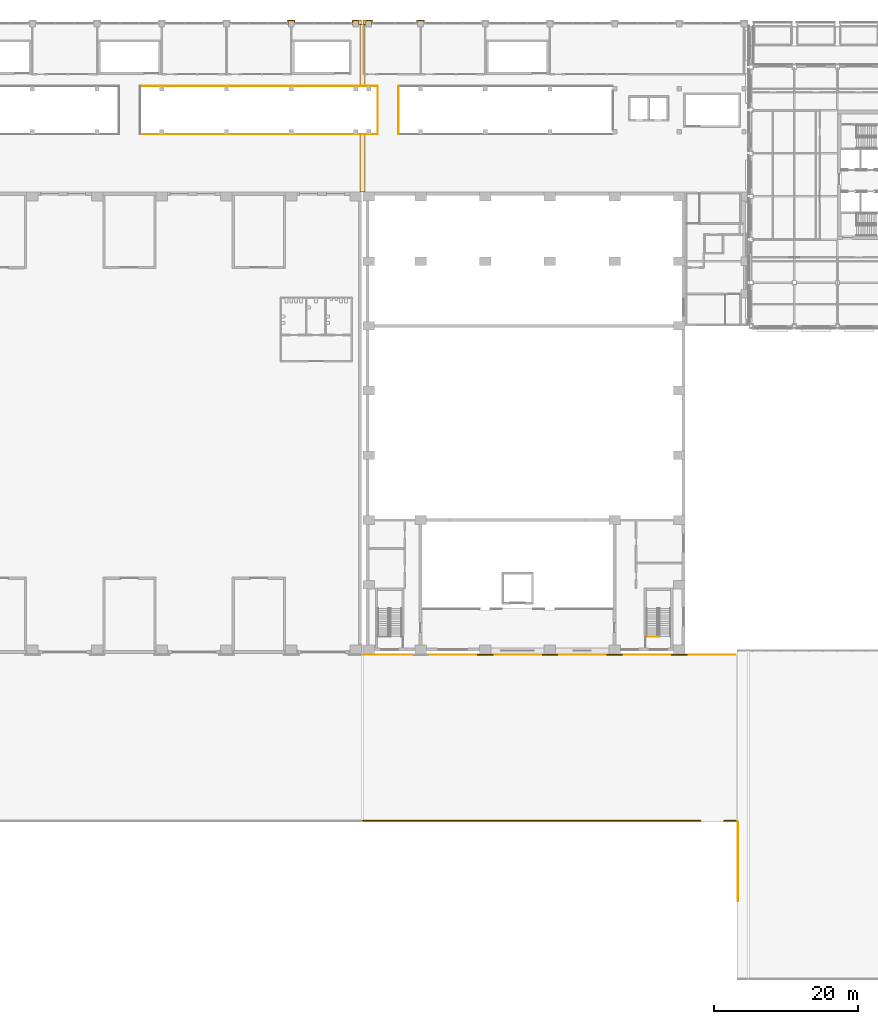
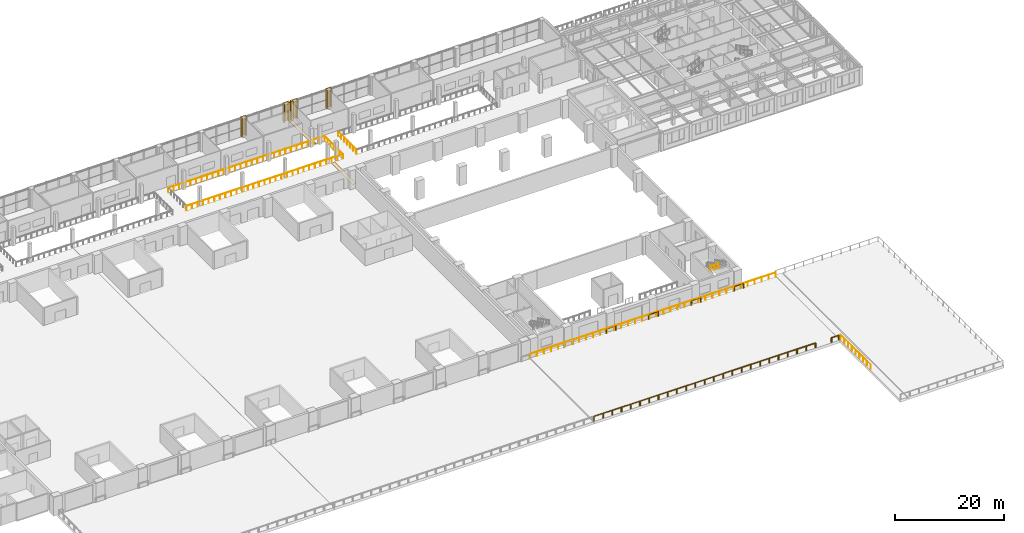
# One storey, part 32 of 39: 13 railings, 6 coverings.
"""IFC4 building model written with IfcOpenShell, lengths in metres."""

from ifc_helpers import new_model, si_unit, direction, frame, origin, origin_2d, place, context, subcontext, project, spatial, polyline, circle, outline, extrude, material, layer, layer_set, type_object, element, save


model = new_model("IFC4")

# Units and contexts
model_context = context("Model", 3, precision=1e-05, world=origin(), true_north=direction((0.0, 1.0)))
body_context = subcontext(model_context, "Body", "Model", "MODEL_VIEW")
ifc_project = project(units=[si_unit("LENGTHUNIT", "METRE"), si_unit("AREAUNIT", "SQUARE_METRE"), si_unit("VOLUMEUNIT", "CUBIC_METRE"), si_unit("PLANEANGLEUNIT", "RADIAN"), si_unit("MASSUNIT", "GRAM", prefix="KILO")], contexts=[model_context])

# Site, building, storey
site_placement = place(None, origin())
site = spatial("IfcSite", under=ifc_project, at=site_placement, CompositionType="ELEMENT")
building_placement = place(site_placement, origin())
building = spatial("IfcBuilding", under=site, at=building_placement, Name="Aravalli Gate Trade Fair Centre", CompositionType="ELEMENT")
storey_placement = place(building_placement, frame((0.0, 0.0, 15.0)))
storey = spatial("IfcBuildingStorey", under=building, at=storey_placement, Name="L03", CompositionType="ELEMENT", Elevation=15.0)

# Railings
ifc_material_1 = material(Name="Steel E350", Category="steel")
railing_type_1 = type_object("IfcRailingType", Name="Concourse guard 1100", PredefinedType="GUARDRAIL", material=ifc_material_1)
railing_1_placement = place(storey_placement, frame((74.949951171875, 117.64990234375, 0.0)))
element("IfcRailing", 1, at=railing_1_placement, inside=storey, type_object=railing_type_1, Name="Atrium guard S3 L03", PredefinedType="GUARDRAIL", context=body_context, shape_type="SweptSolid", body=[
    extrude(circle(Radius=0.02392578125, at=origin_2d()), frame((0.0, 0.0, 1.076171875), z_axis=(1.0, 0.0, 0.0), x_axis=(0.0, 1.0, 0.0)), (0.0, 0.0, 1.0), 33.10009765625),
    extrude(circle(Radius=0.02099609375, at=origin_2d()), origin(), (0.0, 0.0, 1.0), 1.052001953125),
    extrude(circle(Radius=0.02099609375, at=origin_2d()), frame((1.18212890625, 0.0, 0.0)), (0.0, 0.0, 1.0), 1.052001953125),
    extrude(circle(Radius=0.02099609375, at=origin_2d()), frame((2.3642578125, 0.0, 0.0)), (0.0, 0.0, 1.0), 1.052001953125),
    extrude(circle(Radius=0.02099609375, at=origin_2d()), frame((3.54638671875, 0.0, 0.0)), (0.0, 0.0, 1.0), 1.052001953125),
    extrude(circle(Radius=0.02099609375, at=origin_2d()), frame((4.728515625, 0.0, 0.0)), (0.0, 0.0, 1.0), 1.052001953125),
    extrude(circle(Radius=0.02099609375, at=origin_2d()), frame((5.91064453125, 0.0, 0.0)), (0.0, 0.0, 1.0), 1.052001953125),
    extrude(circle(Radius=0.02099609375, at=origin_2d()), frame((7.0927734375, 0.0, 0.0)), (0.0, 0.0, 1.0), 1.052001953125),
    extrude(circle(Radius=0.02099609375, at=origin_2d()), frame((8.27490234375, 0.0, 0.0)), (0.0, 0.0, 1.0), 1.052001953125),
    extrude(circle(Radius=0.02099609375, at=origin_2d()), frame((9.457275390625, 0.0, 0.0)), (0.0, 0.0, 1.0), 1.052001953125),
    extrude(circle(Radius=0.02099609375, at=origin_2d()), frame((10.639404296875, 0.0, 0.0)), (0.0, 0.0, 1.0), 1.052001953125),
    extrude(circle(Radius=0.02099609375, at=origin_2d()), frame((11.821533203125, 0.0, 0.0)), (0.0, 0.0, 1.0), 1.052001953125),
    extrude(circle(Radius=0.02099609375, at=origin_2d()), frame((13.003662109375, 0.0, 0.0)), (0.0, 0.0, 1.0), 1.052001953125),
    extrude(circle(Radius=0.02099609375, at=origin_2d()), frame((14.185791015625, 0.0, 0.0)), (0.0, 0.0, 1.0), 1.052001953125),
    extrude(circle(Radius=0.02099609375, at=origin_2d()), frame((15.367919921875, 0.0, 0.0)), (0.0, 0.0, 1.0), 1.052001953125),
    extrude(circle(Radius=0.02099609375, at=origin_2d()), frame((16.550048828125, 0.0, 0.0)), (0.0, 0.0, 1.0), 1.052001953125),
    extrude(circle(Radius=0.02099609375, at=origin_2d()), frame((17.732177734375, 0.0, 0.0)), (0.0, 0.0, 1.0), 1.052001953125),
    extrude(circle(Radius=0.02099609375, at=origin_2d()), frame((18.914306640625, 0.0, 0.0)), (0.0, 0.0, 1.0), 1.052001953125),
    extrude(circle(Radius=0.02099609375, at=origin_2d()), frame((20.096435546875, 0.0, 0.0)), (0.0, 0.0, 1.0), 1.052001953125),
    extrude(circle(Radius=0.02099609375, at=origin_2d()), frame((21.278564453125, 0.0, 0.0)), (0.0, 0.0, 1.0), 1.052001953125),
    extrude(circle(Radius=0.02099609375, at=origin_2d()), frame((22.460693359375, 0.0, 0.0)), (0.0, 0.0, 1.0), 1.052001953125),
    extrude(circle(Radius=0.02099609375, at=origin_2d()), frame((23.642822265625, 0.0, 0.0)), (0.0, 0.0, 1.0), 1.052001953125),
    extrude(circle(Radius=0.02099609375, at=origin_2d()), frame((24.8251953125, 0.0, 0.0)), (0.0, 0.0, 1.0), 1.052001953125),
    extrude(circle(Radius=0.02099609375, at=origin_2d()), frame((26.00732421875, 0.0, 0.0)), (0.0, 0.0, 1.0), 1.052001953125),
    extrude(circle(Radius=0.02099609375, at=origin_2d()), frame((27.189453125, 0.0, 0.0)), (0.0, 0.0, 1.0), 1.052001953125),
    extrude(circle(Radius=0.02099609375, at=origin_2d()), frame((28.37158203125, 0.0, 0.0)), (0.0, 0.0, 1.0), 1.052001953125),
    extrude(circle(Radius=0.02099609375, at=origin_2d()), frame((29.5537109375, 0.0, 0.0)), (0.0, 0.0, 1.0), 1.052001953125),
    extrude(circle(Radius=0.02099609375, at=origin_2d()), frame((30.73583984375, 0.0, 0.0)), (0.0, 0.0, 1.0), 1.052001953125),
    extrude(circle(Radius=0.02099609375, at=origin_2d()), frame((31.91796875, 0.0, 0.0)), (0.0, 0.0, 1.0), 1.052001953125),
    extrude(circle(Radius=0.02099609375, at=origin_2d()), frame((33.10009765625, 0.0, 0.0)), (0.0, 0.0, 1.0), 1.052001953125),
])
railing_2_placement = place(storey_placement, frame((74.949951171875, 124.35009765625, 0.0)))
element("IfcRailing", 2, at=railing_2_placement, inside=storey, type_object=railing_type_1, Name="Atrium guard N3 L03", PredefinedType="GUARDRAIL", context=body_context, shape_type="SweptSolid", body=[
    extrude(circle(Radius=0.02392578125, at=origin_2d()), frame((0.0, 0.0, 1.076171875), z_axis=(1.0, 0.0, 0.0), x_axis=(0.0, 1.0, 0.0)), (0.0, 0.0, 1.0), 33.10009765625),
    extrude(circle(Radius=0.02099609375, at=origin_2d()), origin(), (0.0, 0.0, 1.0), 1.052001953125),
    extrude(circle(Radius=0.02099609375, at=origin_2d()), frame((1.18212890625, 0.0, 0.0)), (0.0, 0.0, 1.0), 1.052001953125),
    extrude(circle(Radius=0.02099609375, at=origin_2d()), frame((2.3642578125, 0.0, 0.0)), (0.0, 0.0, 1.0), 1.052001953125),
    extrude(circle(Radius=0.02099609375, at=origin_2d()), frame((3.54638671875, 0.0, 0.0)), (0.0, 0.0, 1.0), 1.052001953125),
    extrude(circle(Radius=0.02099609375, at=origin_2d()), frame((4.728515625, 0.0, 0.0)), (0.0, 0.0, 1.0), 1.052001953125),
    extrude(circle(Radius=0.02099609375, at=origin_2d()), frame((5.91064453125, 0.0, 0.0)), (0.0, 0.0, 1.0), 1.052001953125),
    extrude(circle(Radius=0.02099609375, at=origin_2d()), frame((7.0927734375, 0.0, 0.0)), (0.0, 0.0, 1.0), 1.052001953125),
    extrude(circle(Radius=0.02099609375, at=origin_2d()), frame((8.27490234375, 0.0, 0.0)), (0.0, 0.0, 1.0), 1.052001953125),
    extrude(circle(Radius=0.02099609375, at=origin_2d()), frame((9.457275390625, 0.0, 0.0)), (0.0, 0.0, 1.0), 1.052001953125),
    extrude(circle(Radius=0.02099609375, at=origin_2d()), frame((10.639404296875, 0.0, 0.0)), (0.0, 0.0, 1.0), 1.052001953125),
    extrude(circle(Radius=0.02099609375, at=origin_2d()), frame((11.821533203125, 0.0, 0.0)), (0.0, 0.0, 1.0), 1.052001953125),
    extrude(circle(Radius=0.02099609375, at=origin_2d()), frame((13.003662109375, 0.0, 0.0)), (0.0, 0.0, 1.0), 1.052001953125),
    extrude(circle(Radius=0.02099609375, at=origin_2d()), frame((14.185791015625, 0.0, 0.0)), (0.0, 0.0, 1.0), 1.052001953125),
    extrude(circle(Radius=0.02099609375, at=origin_2d()), frame((15.367919921875, 0.0, 0.0)), (0.0, 0.0, 1.0), 1.052001953125),
    extrude(circle(Radius=0.02099609375, at=origin_2d()), frame((16.550048828125, 0.0, 0.0)), (0.0, 0.0, 1.0), 1.052001953125),
    extrude(circle(Radius=0.02099609375, at=origin_2d()), frame((17.732177734375, 0.0, 0.0)), (0.0, 0.0, 1.0), 1.052001953125),
    extrude(circle(Radius=0.02099609375, at=origin_2d()), frame((18.914306640625, 0.0, 0.0)), (0.0, 0.0, 1.0), 1.052001953125),
    extrude(circle(Radius=0.02099609375, at=origin_2d()), frame((20.096435546875, 0.0, 0.0)), (0.0, 0.0, 1.0), 1.052001953125),
    extrude(circle(Radius=0.02099609375, at=origin_2d()), frame((21.278564453125, 0.0, 0.0)), (0.0, 0.0, 1.0), 1.052001953125),
    extrude(circle(Radius=0.02099609375, at=origin_2d()), frame((22.460693359375, 0.0, 0.0)), (0.0, 0.0, 1.0), 1.052001953125),
    extrude(circle(Radius=0.02099609375, at=origin_2d()), frame((23.642822265625, 0.0, 0.0)), (0.0, 0.0, 1.0), 1.052001953125),
    extrude(circle(Radius=0.02099609375, at=origin_2d()), frame((24.8251953125, 0.0, 0.0)), (0.0, 0.0, 1.0), 1.052001953125),
    extrude(circle(Radius=0.02099609375, at=origin_2d()), frame((26.00732421875, 0.0, 0.0)), (0.0, 0.0, 1.0), 1.052001953125),
    extrude(circle(Radius=0.02099609375, at=origin_2d()), frame((27.189453125, 0.0, 0.0)), (0.0, 0.0, 1.0), 1.052001953125),
    extrude(circle(Radius=0.02099609375, at=origin_2d()), frame((28.37158203125, 0.0, 0.0)), (0.0, 0.0, 1.0), 1.052001953125),
    extrude(circle(Radius=0.02099609375, at=origin_2d()), frame((29.5537109375, 0.0, 0.0)), (0.0, 0.0, 1.0), 1.052001953125),
    extrude(circle(Radius=0.02099609375, at=origin_2d()), frame((30.73583984375, 0.0, 0.0)), (0.0, 0.0, 1.0), 1.052001953125),
    extrude(circle(Radius=0.02099609375, at=origin_2d()), frame((31.91796875, 0.0, 0.0)), (0.0, 0.0, 1.0), 1.052001953125),
    extrude(circle(Radius=0.02099609375, at=origin_2d()), frame((33.10009765625, 0.0, 0.0)), (0.0, 0.0, 1.0), 1.052001953125),
])
for number, where, name in (
    (3, (108.050048828125, 117.64990234375, 0.0), "Atrium guard BA3 L03"),
    (4, (110.949951171875, 117.64990234375, 0.0), "Atrium guard BB3 L03"),
):
    element("IfcRailing", number, at=place(storey_placement, frame(where)), inside=storey, type_object=railing_type_1, Name=name, PredefinedType="GUARDRAIL", context=body_context, shape_type="SweptSolid", body=[
        extrude(circle(Radius=0.02392578125, at=origin_2d()), frame((0.0, 0.0, 1.076171875), z_axis=(0.0, 1.0, 0.0), x_axis=(-1.0, 0.0, 0.0)), (0.0, 0.0, 1.0), 6.7001953125),
        extrude(circle(Radius=0.02099609375, at=origin_2d()), origin(), (0.0, 0.0, 1.0), 1.052001953125),
        extrude(circle(Radius=0.02099609375, at=origin_2d()), frame((0.0, 1.11669921875, 0.0)), (0.0, 0.0, 1.0), 1.052001953125),
        extrude(circle(Radius=0.02099609375, at=origin_2d()), frame((0.0, 2.2333984375, 0.0)), (0.0, 0.0, 1.0), 1.052001953125),
        extrude(circle(Radius=0.02099609375, at=origin_2d()), frame((0.0, 3.35009765625, 0.0)), (0.0, 0.0, 1.0), 1.052001953125),
        extrude(circle(Radius=0.02099609375, at=origin_2d()), frame((0.0, 4.466796875, 0.0)), (0.0, 0.0, 1.0), 1.052001953125),
        extrude(circle(Radius=0.02099609375, at=origin_2d()), frame((0.0, 5.58349609375, 0.0)), (0.0, 0.0, 1.0), 1.052001953125),
        extrude(circle(Radius=0.02099609375, at=origin_2d()), frame((0.0, 6.7001953125, 0.0)), (0.0, 0.0, 1.0), 1.052001953125),
    ])
railing_type_2 = type_object("IfcRailingType", Name="Congress stair guard 1100", PredefinedType="GUARDRAIL", material=ifc_material_1)
railing_3_placement = place(storey_placement, frame((145.429931640625, 47.75, 4.199951171875)))
element("IfcRailing", 5, at=railing_3_placement, inside=storey, type_object=railing_type_2, Name="Guard GS2 head", PredefinedType="GUARDRAIL", context=body_context, shape_type="SweptSolid", body=[
    extrude(circle(Radius=0.02392578125, at=origin_2d()), frame((0.0, 0.0, 1.076171875), z_axis=(1.0, 0.0, 0.0), x_axis=(0.0, 1.0, 0.0)), (0.0, 0.0, 1.0), 1.739990234375),
    extrude(circle(Radius=0.02099609375, at=origin_2d()), origin(), (0.0, 0.0, 1.0), 1.052001953125),
    extrude(circle(Radius=0.02099609375, at=origin_2d()), frame((0.8701171875, 0.0, 0.0)), (0.0, 0.0, 1.0), 1.052001953125),
    extrude(circle(Radius=0.02099609375, at=origin_2d()), frame((1.739990234375, 0.0, 0.0)), (0.0, 0.0, 1.0), 1.052001953125),
])
railing_type_3 = type_object("IfcRailingType", Name="Crash barrier 1100", PredefinedType="USERDEFINED", material=ifc_material_1)
railing_4_placement = place(storey_placement, frame((106.0, 22.14990234375, 0.0)))
element("IfcRailing", 6, at=railing_4_placement, inside=storey, type_object=railing_type_3, Name="Crash barrier 4", ObjectType="Crash barrier", PredefinedType="USERDEFINED", context=body_context, shape_type="SweptSolid", body=[
    extrude(circle(Radius=0.06982421875, at=origin_2d()), frame((0.0, 0.0, 1.0302734375), z_axis=(1.0, 0.0, 0.0), x_axis=(0.0, 1.0, 0.0)), (0.0, 0.0, 1.0), 46.89990234375),
    extrude(circle(Radius=0.10009765625, at=origin_2d()), origin(), (0.0, 0.0, 1.0), 0.960205078125),
    extrude(circle(Radius=0.10009765625, at=origin_2d()), frame((1.9541015625, 0.0, 0.0)), (0.0, 0.0, 1.0), 0.960205078125),
    extrude(circle(Radius=0.10009765625, at=origin_2d()), frame((3.908203125, 0.0, 0.0)), (0.0, 0.0, 1.0), 0.960205078125),
    extrude(circle(Radius=0.10009765625, at=origin_2d()), frame((5.862548828125, 0.0, 0.0)), (0.0, 0.0, 1.0), 0.960205078125),
    extrude(circle(Radius=0.10009765625, at=origin_2d()), frame((7.816650390625, 0.0, 0.0)), (0.0, 0.0, 1.0), 0.960205078125),
    extrude(circle(Radius=0.10009765625, at=origin_2d()), frame((9.770751953125, 0.0, 0.0)), (0.0, 0.0, 1.0), 0.960205078125),
    extrude(circle(Radius=0.10009765625, at=origin_2d()), frame((11.72509765625, 0.0, 0.0)), (0.0, 0.0, 1.0), 0.960205078125),
    extrude(circle(Radius=0.10009765625, at=origin_2d()), frame((13.67919921875, 0.0, 0.0)), (0.0, 0.0, 1.0), 0.960205078125),
    extrude(circle(Radius=0.10009765625, at=origin_2d()), frame((15.63330078125, 0.0, 0.0)), (0.0, 0.0, 1.0), 0.960205078125),
    extrude(circle(Radius=0.10009765625, at=origin_2d()), frame((17.58740234375, 0.0, 0.0)), (0.0, 0.0, 1.0), 0.960205078125),
    extrude(circle(Radius=0.10009765625, at=origin_2d()), frame((19.54150390625, 0.0, 0.0)), (0.0, 0.0, 1.0), 0.960205078125),
    extrude(circle(Radius=0.10009765625, at=origin_2d()), frame((21.495849609375, 0.0, 0.0)), (0.0, 0.0, 1.0), 0.960205078125),
    extrude(circle(Radius=0.10009765625, at=origin_2d()), frame((23.449951171875, 0.0, 0.0)), (0.0, 0.0, 1.0), 0.960205078125),
    extrude(circle(Radius=0.10009765625, at=origin_2d()), frame((25.404052734375, 0.0, 0.0)), (0.0, 0.0, 1.0), 0.960205078125),
    extrude(circle(Radius=0.10009765625, at=origin_2d()), frame((27.3583984375, 0.0, 0.0)), (0.0, 0.0, 1.0), 0.960205078125),
    extrude(circle(Radius=0.10009765625, at=origin_2d()), frame((29.3125, 0.0, 0.0)), (0.0, 0.0, 1.0), 0.960205078125),
    extrude(circle(Radius=0.10009765625, at=origin_2d()), frame((31.2666015625, 0.0, 0.0)), (0.0, 0.0, 1.0), 0.960205078125),
    extrude(circle(Radius=0.10009765625, at=origin_2d()), frame((33.220703125, 0.0, 0.0)), (0.0, 0.0, 1.0), 0.960205078125),
    extrude(circle(Radius=0.10009765625, at=origin_2d()), frame((35.1748046875, 0.0, 0.0)), (0.0, 0.0, 1.0), 0.960205078125),
    extrude(circle(Radius=0.10009765625, at=origin_2d()), frame((37.129150390625, 0.0, 0.0)), (0.0, 0.0, 1.0), 0.960205078125),
    extrude(circle(Radius=0.10009765625, at=origin_2d()), frame((39.083251953125, 0.0, 0.0)), (0.0, 0.0, 1.0), 0.960205078125),
    extrude(circle(Radius=0.10009765625, at=origin_2d()), frame((41.037353515625, 0.0, 0.0)), (0.0, 0.0, 1.0), 0.960205078125),
    extrude(circle(Radius=0.10009765625, at=origin_2d()), frame((42.99169921875, 0.0, 0.0)), (0.0, 0.0, 1.0), 0.960205078125),
    extrude(circle(Radius=0.10009765625, at=origin_2d()), frame((44.94580078125, 0.0, 0.0)), (0.0, 0.0, 1.0), 0.960205078125),
    extrude(circle(Radius=0.10009765625, at=origin_2d()), frame((46.89990234375, 0.0, 0.0)), (0.0, 0.0, 1.0), 0.960205078125),
])
railing_5_placement = place(storey_placement, frame((156.300048828125, 22.14990234375, 0.0)))
element("IfcRailing", 7, at=railing_5_placement, inside=storey, type_object=railing_type_3, Name="Crash barrier 5", ObjectType="Crash barrier", PredefinedType="USERDEFINED", context=body_context, shape_type="SweptSolid", body=[
    extrude(circle(Radius=0.06982421875, at=origin_2d()), frame((0.0, 0.0, 1.0302734375), z_axis=(1.0, 0.0, 0.0), x_axis=(0.0, 1.0, 0.0)), (0.0, 0.0, 1.0), 1.530029296875),
    extrude(circle(Radius=0.10009765625, at=origin_2d()), origin(), (0.0, 0.0, 1.0), 0.960205078125),
    extrude(circle(Radius=0.10009765625, at=origin_2d()), frame((1.530029296875, 0.0, 0.0)), (0.0, 0.0, 1.0), 0.960205078125),
])
for number, where, name in (
    (8, (122.0, 45.25, 0.0), "Pier crash rail 15"),
    (9, (131.0, 45.25, 0.0), "Pier crash rail 16"),
    (10, (140.0, 45.25, 0.0), "Pier crash rail 17"),
    (11, (149.0, 45.25, 0.0), "Pier crash rail 18"),
):
    element("IfcRailing", number, at=place(storey_placement, frame(where)), inside=storey, type_object=railing_type_3, Name=name, ObjectType="Crash barrier", PredefinedType="USERDEFINED", context=body_context, shape_type="SweptSolid", body=[
        extrude(circle(Radius=0.06982421875, at=origin_2d()), frame((0.0, 0.0, 1.0302734375), z_axis=(1.0, 0.0, 0.0), x_axis=(0.0, 1.0, 0.0)), (0.0, 0.0, 1.0), 2.0),
        extrude(circle(Radius=0.10009765625, at=origin_2d()), origin(), (0.0, 0.0, 1.0), 0.960205078125),
        extrude(circle(Radius=0.10009765625, at=origin_2d()), frame((2.0, 0.0, 0.0)), (0.0, 0.0, 1.0), 0.960205078125),
    ])
railing_type_4 = type_object("IfcRailingType", Name="Edge guard 1100", PredefinedType="GUARDRAIL", material=ifc_material_1)
railing_6_placement = place(storey_placement, frame((105.85009765625, 45.25, 0.0)))
element("IfcRailing", 12, at=railing_6_placement, inside=storey, type_object=railing_type_4, Name="Deck north edge guard", PredefinedType="GUARDRAIL", context=body_context, shape_type="SweptSolid", body=[
    extrude(circle(Radius=0.02392578125, at=origin_2d()), frame((0.0, 0.0, 1.076171875), z_axis=(1.0, 0.0, 0.0), x_axis=(0.0, 1.0, 0.0)), (0.0, 0.0, 1.0), 51.97998046875),
    extrude(circle(Radius=0.02099609375, at=origin_2d()), origin(), (0.0, 0.0, 1.0), 1.052001953125),
    extrude(circle(Radius=0.02099609375, at=origin_2d()), frame((1.485107421875, 0.0, 0.0)), (0.0, 0.0, 1.0), 1.052001953125),
    extrude(circle(Radius=0.02099609375, at=origin_2d()), frame((2.97021484375, 0.0, 0.0)), (0.0, 0.0, 1.0), 1.052001953125),
    extrude(circle(Radius=0.02099609375, at=origin_2d()), frame((4.455322265625, 0.0, 0.0)), (0.0, 0.0, 1.0), 1.052001953125),
    extrude(circle(Radius=0.02099609375, at=origin_2d()), frame((5.940673828125, 0.0, 0.0)), (0.0, 0.0, 1.0), 1.052001953125),
    extrude(circle(Radius=0.02099609375, at=origin_2d()), frame((7.42578125, 0.0, 0.0)), (0.0, 0.0, 1.0), 1.052001953125),
    extrude(circle(Radius=0.02099609375, at=origin_2d()), frame((8.910888671875, 0.0, 0.0)), (0.0, 0.0, 1.0), 1.052001953125),
    extrude(circle(Radius=0.02099609375, at=origin_2d()), frame((10.39599609375, 0.0, 0.0)), (0.0, 0.0, 1.0), 1.052001953125),
    extrude(circle(Radius=0.02099609375, at=origin_2d()), frame((11.881103515625, 0.0, 0.0)), (0.0, 0.0, 1.0), 1.052001953125),
    extrude(circle(Radius=0.02099609375, at=origin_2d()), frame((13.3662109375, 0.0, 0.0)), (0.0, 0.0, 1.0), 1.052001953125),
    extrude(circle(Radius=0.02099609375, at=origin_2d()), frame((14.851318359375, 0.0, 0.0)), (0.0, 0.0, 1.0), 1.052001953125),
    extrude(circle(Radius=0.02099609375, at=origin_2d()), frame((16.336669921875, 0.0, 0.0)), (0.0, 0.0, 1.0), 1.052001953125),
    extrude(circle(Radius=0.02099609375, at=origin_2d()), frame((17.82177734375, 0.0, 0.0)), (0.0, 0.0, 1.0), 1.052001953125),
    extrude(circle(Radius=0.02099609375, at=origin_2d()), frame((19.306884765625, 0.0, 0.0)), (0.0, 0.0, 1.0), 1.052001953125),
    extrude(circle(Radius=0.02099609375, at=origin_2d()), frame((20.7919921875, 0.0, 0.0)), (0.0, 0.0, 1.0), 1.052001953125),
    extrude(circle(Radius=0.02099609375, at=origin_2d()), frame((22.277099609375, 0.0, 0.0)), (0.0, 0.0, 1.0), 1.052001953125),
    extrude(circle(Radius=0.02099609375, at=origin_2d()), frame((23.76220703125, 0.0, 0.0)), (0.0, 0.0, 1.0), 1.052001953125),
    extrude(circle(Radius=0.02099609375, at=origin_2d()), frame((25.247314453125, 0.0, 0.0)), (0.0, 0.0, 1.0), 1.052001953125),
    extrude(circle(Radius=0.02099609375, at=origin_2d()), frame((26.732666015625, 0.0, 0.0)), (0.0, 0.0, 1.0), 1.052001953125),
    extrude(circle(Radius=0.02099609375, at=origin_2d()), frame((28.2177734375, 0.0, 0.0)), (0.0, 0.0, 1.0), 1.052001953125),
    extrude(circle(Radius=0.02099609375, at=origin_2d()), frame((29.702880859375, 0.0, 0.0)), (0.0, 0.0, 1.0), 1.052001953125),
    extrude(circle(Radius=0.02099609375, at=origin_2d()), frame((31.18798828125, 0.0, 0.0)), (0.0, 0.0, 1.0), 1.052001953125),
    extrude(circle(Radius=0.02099609375, at=origin_2d()), frame((32.673095703125, 0.0, 0.0)), (0.0, 0.0, 1.0), 1.052001953125),
    extrude(circle(Radius=0.02099609375, at=origin_2d()), frame((34.158203125, 0.0, 0.0)), (0.0, 0.0, 1.0), 1.052001953125),
    extrude(circle(Radius=0.02099609375, at=origin_2d()), frame((35.643310546875, 0.0, 0.0)), (0.0, 0.0, 1.0), 1.052001953125),
    extrude(circle(Radius=0.02099609375, at=origin_2d()), frame((37.128662109375, 0.0, 0.0)), (0.0, 0.0, 1.0), 1.052001953125),
    extrude(circle(Radius=0.02099609375, at=origin_2d()), frame((38.61376953125, 0.0, 0.0)), (0.0, 0.0, 1.0), 1.052001953125),
    extrude(circle(Radius=0.02099609375, at=origin_2d()), frame((40.098876953125, 0.0, 0.0)), (0.0, 0.0, 1.0), 1.052001953125),
    extrude(circle(Radius=0.02099609375, at=origin_2d()), frame((41.583984375, 0.0, 0.0)), (0.0, 0.0, 1.0), 1.052001953125),
    extrude(circle(Radius=0.02099609375, at=origin_2d()), frame((43.069091796875, 0.0, 0.0)), (0.0, 0.0, 1.0), 1.052001953125),
    extrude(circle(Radius=0.02099609375, at=origin_2d()), frame((44.55419921875, 0.0, 0.0)), (0.0, 0.0, 1.0), 1.052001953125),
    extrude(circle(Radius=0.02099609375, at=origin_2d()), frame((46.039306640625, 0.0, 0.0)), (0.0, 0.0, 1.0), 1.052001953125),
    extrude(circle(Radius=0.02099609375, at=origin_2d()), frame((47.524658203125, 0.0, 0.0)), (0.0, 0.0, 1.0), 1.052001953125),
    extrude(circle(Radius=0.02099609375, at=origin_2d()), frame((49.009765625, 0.0, 0.0)), (0.0, 0.0, 1.0), 1.052001953125),
    extrude(circle(Radius=0.02099609375, at=origin_2d()), frame((50.494873046875, 0.0, 0.0)), (0.0, 0.0, 1.0), 1.052001953125),
    extrude(circle(Radius=0.02099609375, at=origin_2d()), frame((51.97998046875, 0.0, 0.0)), (0.0, 0.0, 1.0), 1.052001953125),
])
railing_7_placement = place(storey_placement, frame((158.169921875, 11.0, 0.0)))
element("IfcRailing", 13, at=railing_7_placement, inside=storey, type_object=railing_type_4, Name="Landing edge guard west", PredefinedType="GUARDRAIL", context=body_context, shape_type="SweptSolid", body=[
    extrude(circle(Radius=0.02392578125, at=origin_2d()), frame((0.0, 0.0, 1.076171875), z_axis=(0.0, 1.0, 0.0), x_axis=(-1.0, 0.0, 0.0)), (0.0, 0.0, 1.0), 11.0),
    extrude(circle(Radius=0.02099609375, at=origin_2d()), origin(), (0.0, 0.0, 1.0), 1.052001953125),
    extrude(circle(Radius=0.02099609375, at=origin_2d()), frame((0.0, 1.375, 0.0)), (0.0, 0.0, 1.0), 1.052001953125),
    extrude(circle(Radius=0.02099609375, at=origin_2d()), frame((0.0, 2.75, 0.0)), (0.0, 0.0, 1.0), 1.052001953125),
    extrude(circle(Radius=0.02099609375, at=origin_2d()), frame((0.0, 4.125, 0.0)), (0.0, 0.0, 1.0), 1.052001953125),
    extrude(circle(Radius=0.02099609375, at=origin_2d()), frame((0.0, 5.5, 0.0)), (0.0, 0.0, 1.0), 1.052001953125),
    extrude(circle(Radius=0.02099609375, at=origin_2d()), frame((0.0, 6.875, 0.0)), (0.0, 0.0, 1.0), 1.052001953125),
    extrude(circle(Radius=0.02099609375, at=origin_2d()), frame((0.0, 8.25, 0.0)), (0.0, 0.0, 1.0), 1.052001953125),
    extrude(circle(Radius=0.02099609375, at=origin_2d()), frame((0.0, 9.625, 0.0)), (0.0, 0.0, 1.0), 1.052001953125),
    extrude(circle(Radius=0.02099609375, at=origin_2d()), frame((0.0, 11.0, 0.0)), (0.0, 0.0, 1.0), 1.052001953125),
])

# Coverings
ifc_material_2 = material(Name="Stainless steel", Category="steel")
ifc_layer_1 = layer(ifc_material_2, 0.010009765625)
ifc_layer_set_1 = layer_set([ifc_layer_1], Name="Stainless steel")
covering_type_1 = type_object("IfcCoveringType", Name="Joint cover plate, stainless steel 10", PredefinedType="FLOORING", material=ifc_layer_set_1)
covering_1_placement = place(storey_placement, origin())
element("IfcCovering", 14, at=covering_1_placement, inside=storey, type_object=covering_type_1, Name="Joint cover plate J2 L03 1", PredefinedType="FLOORING", context=body_context, shape_type="SweptSolid", body=[
    extrude(outline(polyline([(106.25, 109.60009765625), (106.25, 117.699951171875), (105.550048828125, 117.699951171875), (105.550048828125, 109.60009765625), (106.25, 109.60009765625)])), origin(), (0.0, 0.0, 1.0), 0.010009765625),
])
covering_2_placement = place(storey_placement, origin())
element("IfcCovering", 15, at=covering_2_placement, inside=storey, type_object=covering_type_1, Name="Joint cover plate J2 L03 2", PredefinedType="FLOORING", context=body_context, shape_type="SweptSolid", body=[
    extrude(outline(polyline([(105.550048828125, 132.919921875), (105.550048828125, 124.300048828125), (106.25, 124.300048828125), (106.25, 132.919921875), (105.550048828125, 132.919921875)])), origin(), (0.0, 0.0, 1.0), 0.010009765625),
])
ifc_material_3 = material(Name="Glazed terracotta", Category="masonry")
ifc_layer_2 = layer(ifc_material_3, 0.14990234375)
ifc_layer_set_2 = layer_set([ifc_layer_2], Name="Glazed terracotta")
covering_type_2 = type_object("IfcCoveringType", Name="Terracotta pier casing 150", PredefinedType="CLADDING", material=ifc_layer_set_2)
covering_3_placement = place(storey_placement, origin())
element("IfcCovering", 16, at=covering_3_placement, inside=storey, type_object=covering_type_2, Name="Pier casing K11 L03", PredefinedType="CLADDING", context=body_context, shape_type="SweptSolid", body=[
    extrude(outline(polyline([(95.449951171875, 132.919921875), (95.60009765625, 132.919921875), (95.60009765625, 133.39990234375), (96.39990234375, 133.39990234375), (96.39990234375, 132.919921875), (96.550048828125, 132.919921875), (96.550048828125, 133.550048828125), (95.449951171875, 133.550048828125), (95.449951171875, 132.919921875)])), origin(), (0.0, 0.0, 1.0), 4.199951171875),
])
covering_4_placement = place(storey_placement, origin())
element("IfcCovering", 17, at=covering_4_placement, inside=storey, type_object=covering_type_2, Name="Pier casing K12 L03", PredefinedType="CLADDING", context=body_context, shape_type="SweptSolid", body=[
    extrude(outline(polyline([(104.449951171875, 132.919921875), (104.60009765625, 132.919921875), (104.60009765625, 133.39990234375), (105.39990234375, 133.39990234375), (105.39990234375, 132.919921875), (105.800048828125, 132.919921875), (105.800048828125, 133.550048828125), (104.449951171875, 133.550048828125), (104.449951171875, 132.919921875)])), origin(), (0.0, 0.0, 1.0), 4.199951171875),
])
covering_5_placement = place(storey_placement, origin())
element("IfcCovering", 18, at=covering_5_placement, inside=storey, type_object=covering_type_2, Name="Pier casing K12A L03", PredefinedType="CLADDING", context=body_context, shape_type="SweptSolid", body=[
    extrude(outline(polyline([(106.0, 132.919921875), (106.39990234375, 132.919921875), (106.39990234375, 133.39990234375), (107.199951171875, 133.39990234375), (107.199951171875, 132.919921875), (107.35009765625, 132.919921875), (107.35009765625, 133.550048828125), (106.0, 133.550048828125), (106.0, 132.919921875)])), origin(), (0.0, 0.0, 1.0), 4.199951171875),
])
covering_6_placement = place(storey_placement, origin())
element("IfcCovering", 19, at=covering_6_placement, inside=storey, type_object=covering_type_2, Name="Pier casing K13 L03", PredefinedType="CLADDING", context=body_context, shape_type="SweptSolid", body=[
    extrude(outline(polyline([(113.449951171875, 132.919921875), (113.60009765625, 132.919921875), (113.60009765625, 133.39990234375), (114.39990234375, 133.39990234375), (114.39990234375, 132.919921875), (114.550048828125, 132.919921875), (114.550048828125, 133.550048828125), (113.449951171875, 133.550048828125), (113.449951171875, 132.919921875)])), origin(), (0.0, 0.0, 1.0), 4.199951171875),
])

save(model, "model.ifc")
